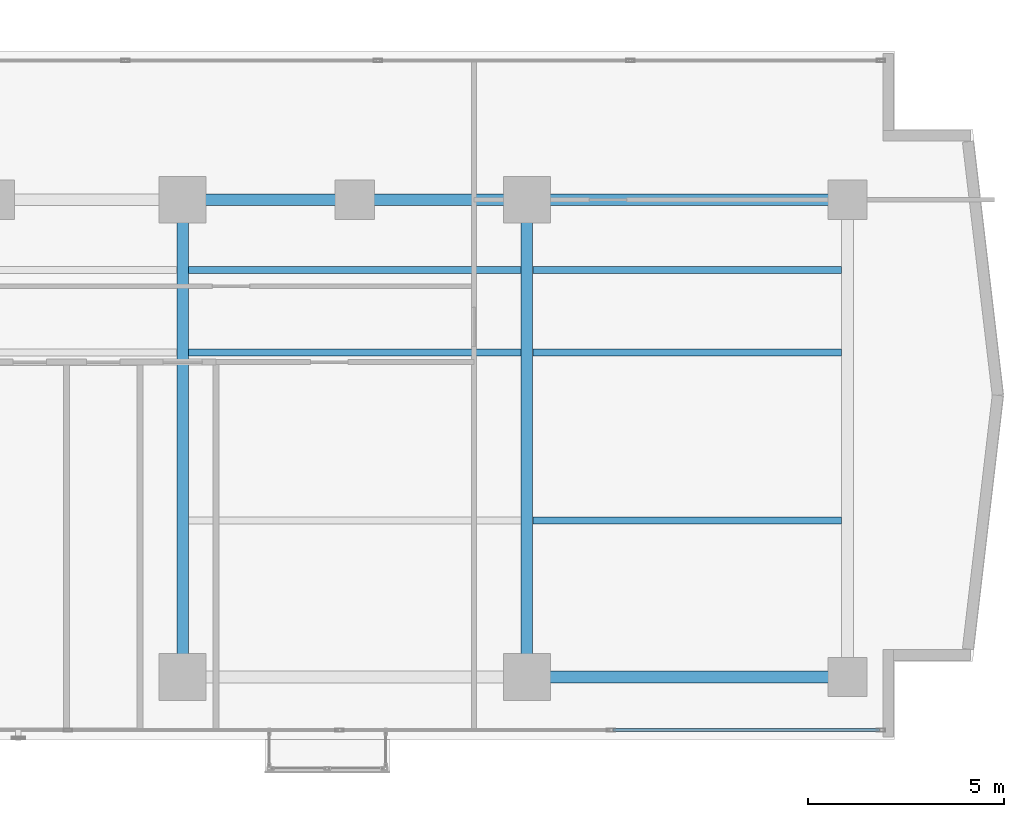
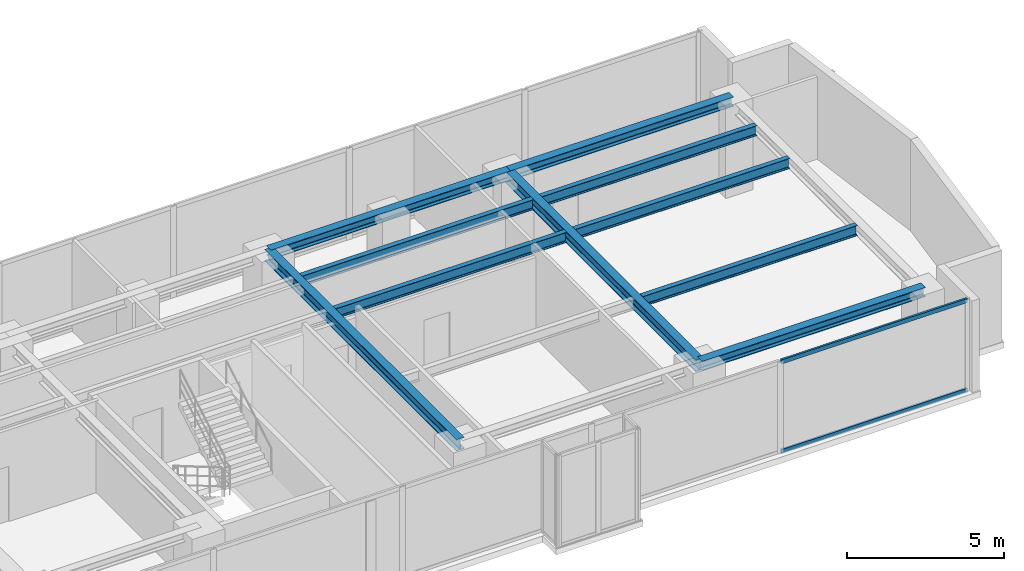
# One storey, part 11 of 26: 10 beams, 2 members, 1 element without a shape of its own.
"""IFC4 building model written with IfcOpenShell, lengths in metres."""

from ifc_helpers import new_model, si_unit, direction, frame, origin, origin_with_axes, origin_2d, place, context, subcontext, project, spatial, hollow_rectangle, i_section, extrude, source, transform, mapped, material, layer, layer_set, material_profile, profile_set, type_object, element, aggregate, save


model = new_model("IFC4")

# Units and contexts
model_context = context("Model", 3, precision=1e-05, world=origin(), true_north=direction((0.0, 1.0)))
body_context = subcontext(model_context, "Body", "Model", "MODEL_VIEW")
ifc_project = project(units=[si_unit("LENGTHUNIT", "METRE"), si_unit("AREAUNIT", "SQUARE_METRE"), si_unit("VOLUMEUNIT", "CUBIC_METRE"), si_unit("PLANEANGLEUNIT", "RADIAN"), si_unit("MASSUNIT", "GRAM", prefix="KILO")], contexts=[model_context])

# Site, building, storey
site_placement = place(None, origin())
site = spatial("IfcSite", under=ifc_project, at=site_placement, CompositionType="ELEMENT")
building_placement = place(site_placement, origin())
building = spatial("IfcBuilding", under=site, at=building_placement, Name="Kolvaren Waterfront Exchange", CompositionType="ELEMENT")
storey_placement = place(building_placement, frame((0.0, 0.0, 165.199951171875)))
storey = spatial("IfcBuildingStorey", under=building, at=storey_placement, Name="L42", CompositionType="ELEMENT", Elevation=165.199951171875)

# Beams
ifc_material_1 = material(Name="Steel S355", Category="steel")
ifc_material_profile_1 = material_profile(ifc_material_1, i_section(OverallWidth=0.300048828125, OverallDepth=0.360107421875, WebThickness=0.012451171875, FlangeThickness=0.0224609375, FilletRadius=0.027099609375, at=origin_2d()), Name="HEB360")
ifc_profile_set_1 = profile_set([ifc_material_profile_1], Name="Steel S355")
beam_type_1 = type_object("IfcBeamType", Name="STR-BM-HEB360", PredefinedType="SPANDREL", material=ifc_profile_set_1)
beam_1_placement = place(storey_placement, frame((45.60009765625, 5.199951171875, 3.380126953125), z_axis=(1.0, 0.0, 0.0), x_axis=(0.0, 1.0, 0.0)))
element("IfcBeam", 1, at=beam_1_placement, inside=storey, type_object=beam_type_1, Name="L42 east-arm spandrel S4", PredefinedType="SPANDREL", context=body_context, shape_type="SweptSolid", body=[
    extrude(i_section(OverallWidth=0.300048828125, OverallDepth=0.360107421875, WebThickness=0.012451171875, FlangeThickness=0.0224609375, FilletRadius=0.027099609375, at=origin_2d()), origin(), (0.0, 0.0, 1.0), 8.199951171875),
])
beam_2_placement = place(storey_placement, frame((36.800048828125, 17.39990234375, 3.380126953125), z_axis=(1.0, 0.0, 0.0), x_axis=(0.0, 1.0, 0.0)))
element("IfcBeam", 2, at=beam_2_placement, inside=storey, type_object=beam_type_1, Name="L42 east-arm spandrel N3", PredefinedType="SPANDREL", context=body_context, shape_type="SweptSolid", body=[
    extrude(i_section(OverallWidth=0.300048828125, OverallDepth=0.360107421875, WebThickness=0.012451171875, FlangeThickness=0.0224609375, FilletRadius=0.027099609375, at=origin_2d()), origin(), (0.0, 0.0, 1.0), 8.800048828125),
])
beam_3_placement = place(storey_placement, frame((45.60009765625, 17.39990234375, 3.380126953125), z_axis=(1.0, 0.0, 0.0), x_axis=(0.0, 1.0, 0.0)))
element("IfcBeam", 3, at=beam_3_placement, inside=storey, type_object=beam_type_1, Name="L42 east-arm spandrel N4", PredefinedType="SPANDREL", context=body_context, shape_type="SweptSolid", body=[
    extrude(i_section(OverallWidth=0.300048828125, OverallDepth=0.360107421875, WebThickness=0.012451171875, FlangeThickness=0.0224609375, FilletRadius=0.027099609375, at=origin_2d()), origin(), (0.0, 0.0, 1.0), 8.199951171875),
])
ifc_material_profile_2 = material_profile(ifc_material_1, i_section(OverallWidth=0.300048828125, OverallDepth=0.449951171875, WebThickness=0.013916015625, FlangeThickness=0.02587890625, FilletRadius=0.027099609375, at=origin_2d()), Name="HEB450")
ifc_profile_set_2 = profile_set([ifc_material_profile_2], Name="Steel S355")
beam_type_2 = type_object("IfcBeamType", Name="STR-BM-HEB450", PredefinedType="BEAM", material=ifc_profile_set_2)
for number, where, z_axis, x_axis, name in (
    (4, (36.800048828125, 5.199951171875, 3.3349609375), (0.0, 1.0, 0.0), (-1.0, 0.0, 0.0), "L42 east-arm transverse girder X36"),
    (5, (45.60009765625, 5.199951171875, 3.3349609375), (0.0, 1.0, 0.0), (-1.0, 0.0, 0.0), "L42 east-arm transverse girder X45"),
):
    element("IfcBeam", number, at=place(storey_placement, frame(where, z_axis=z_axis, x_axis=x_axis)), inside=storey, type_object=beam_type_2, Name=name, PredefinedType="BEAM", context=body_context, shape_type="SweptSolid", body=[
        extrude(i_section(OverallWidth=0.300048828125, OverallDepth=0.449951171875, WebThickness=0.013916015625, FlangeThickness=0.02587890625, FilletRadius=0.027099609375, at=origin_2d()), origin(), (0.0, 0.0, 1.0), 12.199951171875),
    ])
ifc_material_profile_3 = material_profile(ifc_material_1, i_section(OverallWidth=0.179931640625, OverallDepth=0.39990234375, WebThickness=0.008544921875, FlangeThickness=0.013427734375, FilletRadius=0.02099609375, at=origin_2d()), Name="IPE400")
ifc_profile_set_3 = profile_set([ifc_material_profile_3], Name="Steel S355")
beam_type_3 = type_object("IfcBeamType", Name="STR-BM-IPE400", PredefinedType="JOIST", material=ifc_profile_set_3)
for number, where, z_axis, x_axis, name in (
    (6, (36.951904296875, 13.5, 3.360107421875), (1.0, 0.0, 0.0), (0.0, 1.0, 0.0), "L42 east-arm composite joist 3A"),
    (7, (36.951904296875, 15.60009765625, 3.360107421875), (1.0, 0.0, 0.0), (0.0, 1.0, 0.0), "L42 east-arm composite joist 3C"),
):
    element("IfcBeam", number, at=place(storey_placement, frame(where, z_axis=z_axis, x_axis=x_axis)), inside=storey, type_object=beam_type_3, Name=name, PredefinedType="JOIST", context=body_context, shape_type="SweptSolid", body=[
        extrude(i_section(OverallWidth=0.179931640625, OverallDepth=0.39990234375, WebThickness=0.008544921875, FlangeThickness=0.013427734375, FilletRadius=0.02099609375, at=origin_2d()), origin(), (0.0, 0.0, 1.0), 8.49609375),
    ])
for number, where, z_axis, x_axis, name in (
    (8, (45.751953125, 13.5, 3.360107421875), (1.0, 0.0, 0.0), (0.0, 1.0, 0.0), "L42 east-arm composite joist 4A"),
    (9, (45.751953125, 15.60009765625, 3.360107421875), (1.0, 0.0, 0.0), (0.0, 1.0, 0.0), "L42 east-arm composite joist 4C"),
    (10, (45.751953125, 9.199951171875, 3.360107421875), (1.0, 0.0, 0.0), (0.0, 1.0, 0.0), "L42 east-arm composite joist 4B"),
):
    element("IfcBeam", number, at=place(storey_placement, frame(where, z_axis=z_axis, x_axis=x_axis)), inside=storey, type_object=beam_type_3, Name=name, PredefinedType="JOIST", context=body_context, shape_type="SweptSolid", body=[
        extrude(i_section(OverallWidth=0.179931640625, OverallDepth=0.39990234375, WebThickness=0.008544921875, FlangeThickness=0.013427734375, FilletRadius=0.02099609375, at=origin_2d()), origin(), (0.0, 0.0, 1.0), 7.89599609375),
    ])

# Curtain wall, members
ifc_material_2 = material(Name="Anodised bronze aluminium 6063-T6", Category="aluminium")
ifc_layer = layer(ifc_material_2, 0.219970703125, Name="Anodised bronze aluminium 6063-T6")
ifc_layer_set = layer_set([ifc_layer], Name="Anodised bronze aluminium 6063-T6")
curtain_wall_type = type_object("IfcCurtainWallType", Name="ARC-CW-SYS1", PredefinedType="USERDEFINED", material=ifc_layer_set)
curtain_wall_placement = place(storey_placement, origin())
curtain_wall = element("IfcCurtainWall", 11, at=curtain_wall_placement, inside=storey, type_object=curtain_wall_type, Name="L42 stick curtain wall CW1 (CW-L42-S)", ObjectType="STICK CURTAIN WALL", PredefinedType="USERDEFINED")
ifc_material_3 = material(Name="Anodised aluminium 6063-T6", Category="aluminium")
ifc_material_profile_4 = material_profile(ifc_material_3, hollow_rectangle(XDim=0.074951171875, YDim=0.159912109375, WallThickness=0.00439453125, at=origin_2d()), Name="ALU-TRN-160x75x4.5")
ifc_profile_set_4 = profile_set([ifc_material_profile_4], Name="Anodised aluminium 6063-T6")
member_type = type_object("IfcMemberType", Name="ARC-CWT-160", PredefinedType="USERDEFINED", material=ifc_profile_set_4)
shared_shape = source(origin_with_axes(), body_context, "Body", "SweptSolid", [
    extrude(hollow_rectangle(XDim=0.074951171875, YDim=0.159912109375, WallThickness=0.00439453125, at=origin_2d()), origin(), (0.0, 0.0, 1.0), 6.822998046875),
])
member_1_placement = place(storey_placement, frame((47.797119140625, 3.840087890625, 0.03759765625), z_axis=(1.0, 0.0, 0.0), x_axis=(0.0, 1.0, 0.0)))
member_1 = element("IfcMember", 12, at=member_1_placement, type_object=member_type, Name="CW1 transom 7.1", ObjectType="TRANSOM", PredefinedType="USERDEFINED", context=body_context, shape_type="MappedRepresentation", body=[
    mapped(shared_shape, transform((0.0, 0.0, 0.0), x_axis=(1.0, 0.0, 0.0), y_axis=(0.0, 1.0, 0.0), z_axis=(0.0, 0.0, 1.0), scale=1.0)),
])
member_2_placement = place(storey_placement, frame((47.797119140625, 3.840087890625, 3.5224609375), z_axis=(1.0, 0.0, 0.0), x_axis=(0.0, 1.0, 0.0)))
member_2 = element("IfcMember", 13, at=member_2_placement, type_object=member_type, Name="CW1 transom 7.2", ObjectType="TRANSOM", PredefinedType="USERDEFINED", context=body_context, shape_type="MappedRepresentation", body=[
    mapped(shared_shape, transform((0.0, 0.0, 0.0), x_axis=(1.0, 0.0, 0.0), y_axis=(0.0, 1.0, 0.0), z_axis=(0.0, 0.0, 1.0), scale=1.0)),
])
aggregate(curtain_wall, [member_1, member_2])

save(model, "model.ifc")
